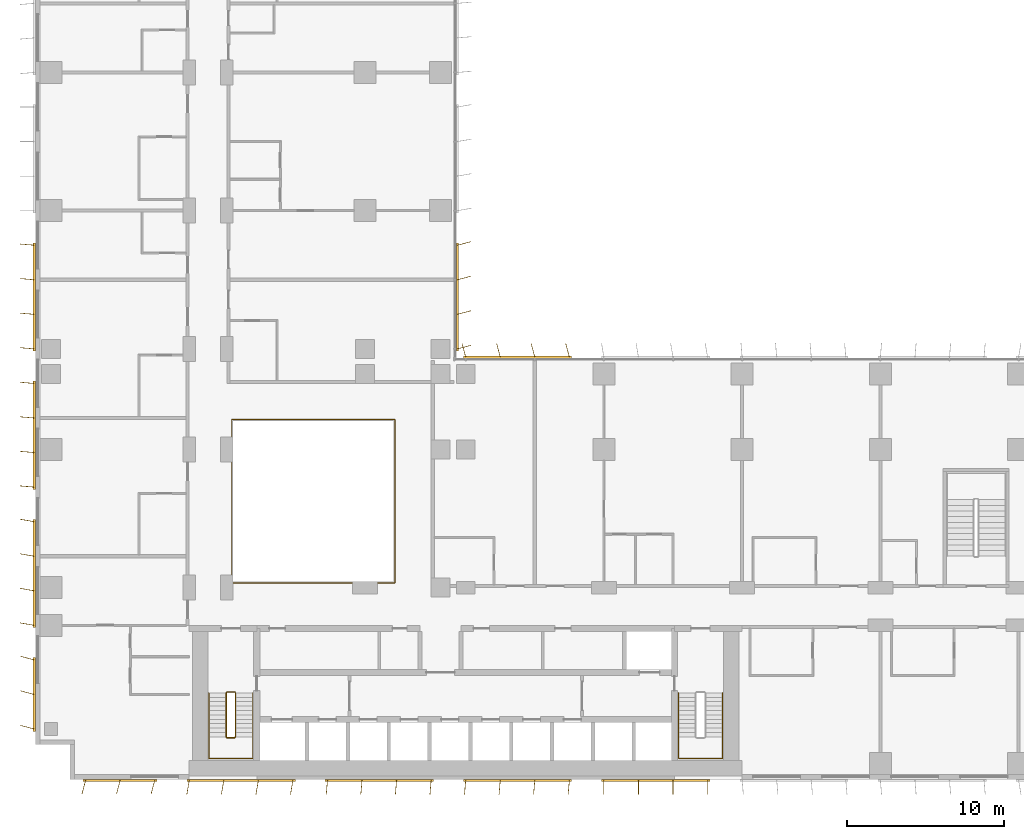
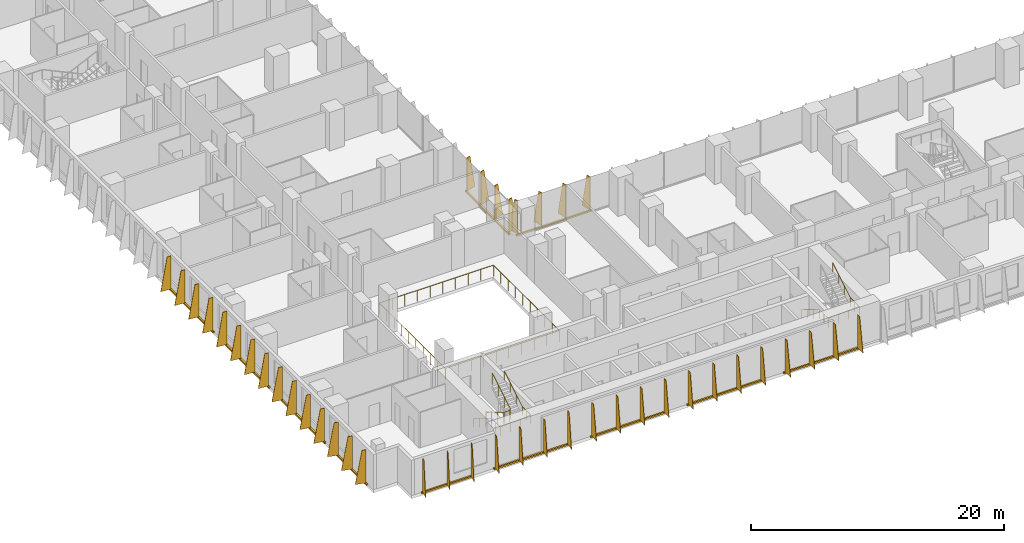
# One storey, part 21 of 24: 11 shading devices, 4 railings.
"""IFC4 building model written with IfcOpenShell, lengths in metres."""

import ifcopenshell
import ifcopenshell.guid

model = None  # the IFC model being written
_history = None  # IfcOwnerHistory: only IFC2X3 demands one
_inside = {}  # id of a spatial element -> (the spatial element, [elements in it])
_under = {}  # id of a project, library or spatial element -> (it, [spatial elements below it])
_declared = {}  # id of a project -> (the project, [libraries it declares])
_typed = {}  # id of a type object -> (the type object, [elements of that type])
_made_of = {}  # id of a material, layer set ... -> (it, [elements and type objects made of it])


def new_model(schema):
    """Start an empty IFC model of exactly this schema.

    Asked for "IFC4X3", IfcOpenShell would pick the latest addendum, in which some entities
    have other attributes; the version numbers below select the first issue.
    IFC2X3 requires an IfcOwnerHistory on every rooted entity: one is made here for all.
    """
    global model, _history
    if schema == "IFC4X3":
        model = ifcopenshell.file(schema_version=(4, 3, 0, 0))
    else:
        model = ifcopenshell.file(schema=schema)
    _inside.clear()
    _under.clear()
    _declared.clear()
    _typed.clear()
    _made_of.clear()
    _history = None
    if model.schema == "IFC2X3":
        org = make("IfcOrganization", Name="unknown")
        user = make(
            "IfcPersonAndOrganization",
            ThePerson=make("IfcPerson", FamilyName="unknown"),
            TheOrganization=org,
        )
        app = make(
            "IfcApplication",
            ApplicationDeveloper=org,
            Version="unknown",
            ApplicationFullName="unknown",
            ApplicationIdentifier="unknown",
        )
        _history = make(
            "IfcOwnerHistory",
            OwningUser=user,
            OwningApplication=app,
            ChangeAction="ADDED",
            CreationDate=0,
        )
    return model


def make(cls, **values):
    """One entity of the class cls with the attributes given. An attribute that is None is left unset."""
    return model.create_entity(
        cls, **{name: value for name, value in values.items() if value is not None}
    )


def rooted(cls, **values):
    """An entity with a GlobalId (a new one), such as an element, a storey or a relation."""
    return make(cls, GlobalId=ifcopenshell.guid.new(), OwnerHistory=_history, **values)


def si_unit(unit_type, name, prefix=None):
    """IfcSIUnit, for example si_unit("LENGTHUNIT", "METRE", prefix="MILLI")."""
    return make("IfcSIUnit", UnitType=unit_type, Prefix=prefix, Name=name)


def assignment(units):
    """IfcUnitAssignment: the units of a project."""
    return None if units is None else make("IfcUnitAssignment", Units=units)


def point(xyz):
    """IfcCartesianPoint."""
    return None if xyz is None else make("IfcCartesianPoint", Coordinates=xyz)


def direction(xyz):
    """IfcDirection."""
    return None if xyz is None else make("IfcDirection", DirectionRatios=xyz)


def frame(location, z_axis=None, x_axis=None):
    """IfcAxis2Placement3D, a coordinate frame: its origin and axes. An axis left out is left unset."""
    return make(
        "IfcAxis2Placement3D",
        Location=point(location),
        Axis=direction(z_axis),
        RefDirection=direction(x_axis),
    )


def frame_2d(location, x_axis=None):
    """IfcAxis2Placement2D, a coordinate frame in the plane: its origin and x axis."""
    return make(
        "IfcAxis2Placement2D", Location=point(location), RefDirection=direction(x_axis)
    )


def origin():
    """The frame at (0, 0, 0) with its axes left unset."""
    return frame((0.0, 0.0, 0.0))


def origin_2d():
    """The frame at (0, 0) in the plane with its x axis left unset."""
    return frame_2d((0.0, 0.0))


def place(relative_to, where):
    """IfcLocalPlacement: puts the frame where relative to a parent placement (None: the world)."""
    return make(
        "IfcLocalPlacement", PlacementRelTo=relative_to, RelativePlacement=where
    )


def context(
    kind, dimensions, precision=None, world=None, true_north=None, identifier=None
):
    """IfcGeometricRepresentationContext, for example the 3D "Model" context."""
    return make(
        "IfcGeometricRepresentationContext",
        ContextIdentifier=identifier,
        ContextType=kind,
        CoordinateSpaceDimension=dimensions,
        Precision=precision,
        WorldCoordinateSystem=world,
        TrueNorth=true_north,
    )


def subcontext(parent, identifier, kind, view, scale=None):
    """IfcGeometricRepresentationSubContext, for example "Body" below "Model"."""
    return make(
        "IfcGeometricRepresentationSubContext",
        ContextIdentifier=identifier,
        ContextType=kind,
        ParentContext=parent,
        TargetScale=scale,
        TargetView=view,
    )


def project(units=None, contexts=None):
    """IfcProject with its units and contexts."""
    return rooted(
        "IfcProject",
        Name="project",
        RepresentationContexts=contexts,
        UnitsInContext=assignment(units),
    )


def spatial(cls, under=None, at=None, **own):
    """A site, building, storey or space (cls), placed at a placement, below another one or the project."""
    s = rooted(cls, ObjectPlacement=at, **own)
    if under is not None:
        _under.setdefault(under.id(), (under, []))[1].append(s)
    return s


def polyline(points):
    """IfcPolyline through the points."""
    return make("IfcPolyline", Points=[point(p) for p in points])


def profile(cls, at=None, kind="AREA", **sizes):
    """A parametric profile (cls). Its sizes go by their IFC names, for example OverallWidth=200.0."""
    return make(cls, ProfileType=kind, Position=at, **sizes)


def rectangle(**sizes):
    """IfcRectangleProfileDef."""
    return profile("IfcRectangleProfileDef", **sizes)


def circle(**sizes):
    """IfcCircleProfileDef."""
    return profile("IfcCircleProfileDef", **sizes)


def outline(outer, holes=None, kind="AREA"):
    """IfcArbitraryClosedProfileDef: a profile drawn as a closed curve; with holes, ...WithVoids."""
    if holes is None:
        return make("IfcArbitraryClosedProfileDef", ProfileType=kind, OuterCurve=outer)
    return make(
        "IfcArbitraryProfileDefWithVoids",
        ProfileType=kind,
        OuterCurve=outer,
        InnerCurves=holes,
    )


def extrude(swept, where, along, depth):
    """IfcExtrudedAreaSolid: the profile swept, set in the frame where, extruded along a direction by depth."""
    return make(
        "IfcExtrudedAreaSolid",
        SweptArea=swept,
        Position=where,
        ExtrudedDirection=direction(along),
        Depth=depth,
    )


def shape(context_of_items, identifier, shape_type, items):
    """IfcShapeRepresentation: the items that make up one representation, for example the "Body"."""
    return make(
        "IfcShapeRepresentation",
        ContextOfItems=context_of_items,
        RepresentationIdentifier=identifier,
        RepresentationType=shape_type,
        Items=items,
    )


def source(mapping_origin, context_of_items, identifier, shape_type, items):
    """IfcRepresentationMap: a shape defined once, which mapped items show again and again."""
    return make(
        "IfcRepresentationMap",
        MappingOrigin=mapping_origin,
        MappedRepresentation=shape(context_of_items, identifier, shape_type, items),
    )


def transform(
    local_origin,
    x_axis=None,
    y_axis=None,
    z_axis=None,
    scale=None,
    scale2=None,
    scale3=None,
    uniform=True,
):
    """IfcCartesianTransformationOperator3D, or its non-uniform kind. x_axis, y_axis, z_axis: its Axis1, 2, 3."""
    if uniform:
        return make(
            "IfcCartesianTransformationOperator3D",
            Axis1=direction(x_axis),
            Axis2=direction(y_axis),
            LocalOrigin=point(local_origin),
            Scale=scale,
            Axis3=direction(z_axis),
        )
    return make(
        "IfcCartesianTransformationOperator3DnonUniform",
        Axis1=direction(x_axis),
        Axis2=direction(y_axis),
        LocalOrigin=point(local_origin),
        Scale=scale,
        Axis3=direction(z_axis),
        Scale2=scale2,
        Scale3=scale3,
    )


def mapped(mapping_source, mapping_target):
    """IfcMappedItem: shows the shape of a source again, moved by a transform."""
    return make(
        "IfcMappedItem", MappingSource=mapping_source, MappingTarget=mapping_target
    )


def material(Name=None, Category=None):
    """IfcMaterial."""
    return make("IfcMaterial", Name=Name, Category=Category)


def layer(
    of_material, thickness, ventilated=None, Name=None, Category=None, Priority=None
):
    """IfcMaterialLayer: one layer of a wall or slab, of a material (None: an air gap)."""
    return make(
        "IfcMaterialLayer",
        Material=of_material,
        LayerThickness=thickness,
        IsVentilated=ventilated,
        Name=Name,
        Category=Category,
        Priority=Priority,
    )


def layer_set(layers, Name=None):
    """IfcMaterialLayerSet."""
    return make("IfcMaterialLayerSet", MaterialLayers=layers, LayerSetName=Name)


def made_of(thing, what):
    """Note that an element or type object is made of a material, layer set ...; save() writes the relation."""
    if what is not None:
        _made_of.setdefault(what.id(), (what, []))[1].append(thing)
    return thing


def type_object(cls, material=None, **own):
    """A type object (cls), such as IfcWallType, which elements share."""
    return made_of(rooted(cls, **own), material)


def element(
    cls,
    number,
    at=None,
    inside=None,
    cuts=None,
    type_object=None,
    material=None,
    context=None,
    identifier="Body",
    shape_type=None,
    held_by="IfcProductDefinitionShape",
    body=None,
    shapes=None,
    **own,
):
    """One element of the class cls, such as IfcWall. Its Tag is "e" and its number.

    at: its placement. inside: the storey or other place that contains it. cuts: it is an
    opening in that element (IfcRelVoidsElement). A single representation is given by context,
    identifier, shape_type and body (its items); several are given by shapes. held_by: the class
    of the entity that holds the representations. save() writes the other relations.
    """
    e = rooted(cls, Tag="e%d" % number, ObjectPlacement=at, **own)
    if body is not None:
        shapes = [shape(context, identifier, shape_type, body)]
    if shapes is not None:
        e.Representation = make(held_by, Representations=shapes)
    if inside is not None:
        _inside.setdefault(inside.id(), (inside, []))[1].append(e)
    if cuts is not None:
        rooted(
            "IfcRelVoidsElement", RelatingBuildingElement=cuts, RelatedOpeningElement=e
        )
    if type_object is not None:
        _typed.setdefault(type_object.id(), (type_object, []))[1].append(e)
    return made_of(e, material)


def aggregate(whole, parts):
    """IfcRelAggregates: a whole, such as a stair, and the parts it consists of."""
    return rooted("IfcRelAggregates", RelatingObject=whole, RelatedObjects=parts)


def save(model, path):
    """Write the relations noted so far, then the file.

    IfcRelAggregates (storeys below a building ...), IfcRelContainedInSpatialStructure (elements
    in a storey), IfcRelDefinesByType, IfcRelAssociatesMaterial and IfcRelDeclares: one each for
    every whole, place, type object, material and project.
    """
    for whole, parts in _under.values():
        aggregate(whole, parts)
    for where, things in _inside.values():
        rooted(
            "IfcRelContainedInSpatialStructure",
            RelatedElements=things,
            RelatingStructure=where,
        )
    for kind, things in _typed.values():
        rooted("IfcRelDefinesByType", RelatedObjects=things, RelatingType=kind)
    for what, things in _made_of.values():
        rooted("IfcRelAssociatesMaterial", RelatedObjects=things, RelatingMaterial=what)
    for by, libraries in _declared.values():
        rooted("IfcRelDeclares", RelatingContext=by, RelatedDefinitions=libraries)
    model.write(path)


model = new_model("IFC4")

# Units and contexts
model_context = context("Model", 3, precision=1e-05, world=origin(), true_north=direction((0.0, 1.0)))
body_context = subcontext(model_context, "Body", "Model", "MODEL_VIEW")
ifc_project = project(units=[si_unit("LENGTHUNIT", "METRE"), si_unit("AREAUNIT", "SQUARE_METRE"), si_unit("VOLUMEUNIT", "CUBIC_METRE"), si_unit("PLANEANGLEUNIT", "RADIAN"), si_unit("MASSUNIT", "GRAM", prefix="KILO")], contexts=[model_context])

# Site, building, storey
site_placement = place(None, origin())
site = spatial("IfcSite", under=ifc_project, at=site_placement, CompositionType="ELEMENT")
building_placement = place(site_placement, origin())
building = spatial("IfcBuilding", under=site, at=building_placement, Name="Kemantara Hotel Tower", CompositionType="ELEMENT")
storey_placement = place(building_placement, frame((0.0, 0.0, 41.39990234375)))
storey = spatial("IfcBuildingStorey", under=building, at=storey_placement, Name="L08", CompositionType="ELEMENT", Elevation=41.39990234375)

# Railings
ifc_material_1 = material(Name="Stainless steel and laminated glass balustrade", Category="steel")
railing_type_1 = type_object("IfcRailingType", Name="ATRIUM GUARD 1100", PredefinedType="GUARDRAIL", material=ifc_material_1)
railing_1_placement = place(storey_placement, frame((12.56005859375, 12.5, 0.0)))
element("IfcRailing", 1, at=railing_1_placement, inside=storey, type_object=railing_type_1, Name="ATRIUM GUARD L08", PredefinedType="GUARDRAIL", context=body_context, shape_type="SweptSolid", body=[
    extrude(circle(Radius=0.02490234375, at=origin_2d()), frame((0.0, 0.0, 1.0751953125), z_axis=(1.0, 0.0, 0.0), x_axis=(0.0, 1.0, 0.0)), (0.0, 0.0, 1.0), 10.33984375),
    extrude(circle(Radius=0.02490234375, at=origin_2d()), frame((10.33984375, 0.0, 1.0751953125), z_axis=(0.0, 1.0, 0.0), x_axis=(-1.0, 0.0, 0.0)), (0.0, 0.0, 1.0), 10.39990234375),
    extrude(circle(Radius=0.02490234375, at=origin_2d()), frame((10.33984375, 10.39990234375, 1.0751953125), z_axis=(-1.0, 0.0, 0.0), x_axis=(0.0, -1.0, 0.0)), (0.0, 0.0, 1.0), 10.39990234375),
    extrude(circle(Radius=0.02490234375, at=origin_2d()), frame((-0.06005859375, 10.39990234375, 1.0751953125), z_axis=(0.0, -1.0, 0.0), x_axis=(1.0, 0.0, 0.0)), (0.0, 0.0, 1.0), 10.39990234375),
    extrude(circle(Radius=0.02001953125, at=origin_2d()), origin(), (0.0, 0.0, 1.0), 1.050048828125),
    extrude(circle(Radius=0.02001953125, at=origin_2d()), frame((1.14892578125, 0.0, 0.0)), (0.0, 0.0, 1.0), 1.050048828125),
    extrude(circle(Radius=0.02001953125, at=origin_2d()), frame((2.2978515625, 0.0, 0.0)), (0.0, 0.0, 1.0), 1.050048828125),
    extrude(circle(Radius=0.02001953125, at=origin_2d()), frame((3.446533203125, 0.0, 0.0)), (0.0, 0.0, 1.0), 1.050048828125),
    extrude(circle(Radius=0.02001953125, at=origin_2d()), frame((4.595458984375, 0.0, 0.0)), (0.0, 0.0, 1.0), 1.050048828125),
    extrude(circle(Radius=0.02001953125, at=origin_2d()), frame((5.744384765625, 0.0, 0.0)), (0.0, 0.0, 1.0), 1.050048828125),
    extrude(circle(Radius=0.02001953125, at=origin_2d()), frame((6.893310546875, 0.0, 0.0)), (0.0, 0.0, 1.0), 1.050048828125),
    extrude(circle(Radius=0.02001953125, at=origin_2d()), frame((8.0419921875, 0.0, 0.0)), (0.0, 0.0, 1.0), 1.050048828125),
    extrude(circle(Radius=0.02001953125, at=origin_2d()), frame((9.19091796875, 0.0, 0.0)), (0.0, 0.0, 1.0), 1.050048828125),
    extrude(circle(Radius=0.02001953125, at=origin_2d()), frame((10.33984375, 0.0, 0.0)), (0.0, 0.0, 1.0), 1.050048828125),
    extrude(circle(Radius=0.02001953125, at=origin_2d()), frame((10.33984375, 1.155517578125, 0.0)), (0.0, 0.0, 1.0), 1.050048828125),
    extrude(circle(Radius=0.02001953125, at=origin_2d()), frame((10.33984375, 2.31103515625, 0.0)), (0.0, 0.0, 1.0), 1.050048828125),
    extrude(circle(Radius=0.02001953125, at=origin_2d()), frame((10.33984375, 3.466552734375, 0.0)), (0.0, 0.0, 1.0), 1.050048828125),
    extrude(circle(Radius=0.02001953125, at=origin_2d()), frame((10.33984375, 4.6220703125, 0.0)), (0.0, 0.0, 1.0), 1.050048828125),
    extrude(circle(Radius=0.02001953125, at=origin_2d()), frame((10.33984375, 5.77783203125, 0.0)), (0.0, 0.0, 1.0), 1.050048828125),
    extrude(circle(Radius=0.02001953125, at=origin_2d()), frame((10.33984375, 6.933349609375, 0.0)), (0.0, 0.0, 1.0), 1.050048828125),
    extrude(circle(Radius=0.02001953125, at=origin_2d()), frame((10.33984375, 8.0888671875, 0.0)), (0.0, 0.0, 1.0), 1.050048828125),
    extrude(circle(Radius=0.02001953125, at=origin_2d()), frame((10.33984375, 9.244384765625, 0.0)), (0.0, 0.0, 1.0), 1.050048828125),
    extrude(circle(Radius=0.02001953125, at=origin_2d()), frame((10.33984375, 10.39990234375, 0.0)), (0.0, 0.0, 1.0), 1.050048828125),
    extrude(circle(Radius=0.02001953125, at=origin_2d()), frame((9.184326171875, 10.39990234375, 0.0)), (0.0, 0.0, 1.0), 1.050048828125),
    extrude(circle(Radius=0.02001953125, at=origin_2d()), frame((8.02880859375, 10.39990234375, 0.0)), (0.0, 0.0, 1.0), 1.050048828125),
    extrude(circle(Radius=0.02001953125, at=origin_2d()), frame((6.873291015625, 10.39990234375, 0.0)), (0.0, 0.0, 1.0), 1.050048828125),
    extrude(circle(Radius=0.02001953125, at=origin_2d()), frame((5.7177734375, 10.39990234375, 0.0)), (0.0, 0.0, 1.0), 1.050048828125),
    extrude(circle(Radius=0.02001953125, at=origin_2d()), frame((4.56201171875, 10.39990234375, 0.0)), (0.0, 0.0, 1.0), 1.050048828125),
    extrude(circle(Radius=0.02001953125, at=origin_2d()), frame((3.406494140625, 10.39990234375, 0.0)), (0.0, 0.0, 1.0), 1.050048828125),
    extrude(circle(Radius=0.02001953125, at=origin_2d()), frame((2.2509765625, 10.39990234375, 0.0)), (0.0, 0.0, 1.0), 1.050048828125),
    extrude(circle(Radius=0.02001953125, at=origin_2d()), frame((1.095458984375, 10.39990234375, 0.0)), (0.0, 0.0, 1.0), 1.050048828125),
    extrude(circle(Radius=0.02001953125, at=origin_2d()), frame((-0.06005859375, 10.39990234375, 0.0)), (0.0, 0.0, 1.0), 1.050048828125),
    extrude(circle(Radius=0.02001953125, at=origin_2d()), frame((-0.06005859375, 9.244384765625, 0.0)), (0.0, 0.0, 1.0), 1.050048828125),
    extrude(circle(Radius=0.02001953125, at=origin_2d()), frame((-0.06005859375, 8.0888671875, 0.0)), (0.0, 0.0, 1.0), 1.050048828125),
    extrude(circle(Radius=0.02001953125, at=origin_2d()), frame((-0.06005859375, 6.933349609375, 0.0)), (0.0, 0.0, 1.0), 1.050048828125),
    extrude(circle(Radius=0.02001953125, at=origin_2d()), frame((-0.06005859375, 5.77783203125, 0.0)), (0.0, 0.0, 1.0), 1.050048828125),
    extrude(circle(Radius=0.02001953125, at=origin_2d()), frame((-0.06005859375, 4.6220703125, 0.0)), (0.0, 0.0, 1.0), 1.050048828125),
    extrude(circle(Radius=0.02001953125, at=origin_2d()), frame((-0.06005859375, 3.466552734375, 0.0)), (0.0, 0.0, 1.0), 1.050048828125),
    extrude(circle(Radius=0.02001953125, at=origin_2d()), frame((-0.06005859375, 2.31103515625, 0.0)), (0.0, 0.0, 1.0), 1.050048828125),
    extrude(circle(Radius=0.02001953125, at=origin_2d()), frame((-0.06005859375, 1.155517578125, 0.0)), (0.0, 0.0, 1.0), 1.050048828125),
    extrude(circle(Radius=0.02001953125, at=origin_2d()), frame((-0.06005859375, 0.0, 0.0)), (0.0, 0.0, 1.0), 1.050048828125),
])
ifc_material_2 = material(Name="Stainless steel balustrade", Category="steel")
railing_type_2 = type_object("IfcRailingType", Name="Stair guard 1100 mm", PredefinedType="GUARDRAIL", material=ifc_material_2)
railing_2_placement = place(storey_placement, frame((12.75, 5.5, 3.7001953125)))
element("IfcRailing", 2, at=railing_2_placement, inside=storey, type_object=railing_type_2, Name="L08 ST1 stair guard 1", PredefinedType="GUARDRAIL", context=body_context, shape_type="SweptSolid", body=[
    extrude(circle(Radius=0.02392578125, at=origin_2d()), frame((0.0, 0.0, 1.076171875), z_axis=(0.0, -0.857242210791, -0.514913383045), x_axis=(1.0, 0.0, 0.0)), (0.0, 0.0, 1.0), 3.266357421875),
    extrude(circle(Radius=0.02392578125, at=origin_2d()), frame((0.0, -2.800048828125, -0.60595703125), z_axis=(-0.274243871929, -0.274243871929, -0.92172696468), x_axis=(0.707106781187, -0.707106781187, 0.0)), (0.0, 0.0, 1.0), 0.1826171875),
    extrude(circle(Radius=0.02392578125, at=origin_2d()), frame((-0.050048828125, -2.85009765625, -0.77392578125), z_axis=(-1.0, 0.0, 0.0), x_axis=(0.0, -1.0, 0.0)), (0.0, 0.0, 1.0), 0.5),
    extrude(circle(Radius=0.02392578125, at=origin_2d()), frame((-0.550048828125, -2.85009765625, -0.77392578125), z_axis=(-0.707106781187, 0.707106781187, 0.0), x_axis=(-0.707106781187, -0.707106781187, 0.0)), (0.0, 0.0, 1.0), 0.07080078125),
    extrude(circle(Radius=0.02392578125, at=origin_2d()), frame((-0.60009765625, -2.800048828125, -0.77392578125), z_axis=(0.0, 0.857242210791, -0.514913383045), x_axis=(-1.0, 0.0, 0.0)), (0.0, 0.0, 1.0), 3.266357421875),
    extrude(circle(Radius=0.02392578125, at=origin_2d()), frame((-0.60009765625, 0.0, -2.4560546875), z_axis=(0.274243871929, 0.274243871929, -0.92172696468), x_axis=(-0.707106781187, 0.707106781187, 0.0)), (0.0, 0.0, 1.0), 0.1826171875),
    extrude(circle(Radius=0.02392578125, at=origin_2d()), frame((-0.550048828125, 0.050048828125, -2.6240234375), z_axis=(1.0, 0.0, 0.0), x_axis=(0.0, 1.0, 0.0)), (0.0, 0.0, 1.0), 0.5),
    extrude(circle(Radius=0.02099609375, at=origin_2d()), origin(), (0.0, 0.0, 1.0), 1.052001953125),
    extrude(circle(Radius=0.02099609375, at=origin_2d()), frame((0.0, -0.933349609375, -0.560546875)), (0.0, 0.0, 1.0), 1.052001953125),
    extrude(circle(Radius=0.02099609375, at=origin_2d()), frame((0.0, -1.86669921875, -1.121337890625)), (0.0, 0.0, 1.0), 1.052001953125),
    extrude(circle(Radius=0.02099609375, at=origin_2d()), frame((0.0, -2.800048828125, -1.681884765625)), (0.0, 0.0, 1.0), 1.052001953125),
    extrude(circle(Radius=0.02099609375, at=origin_2d()), frame((-0.050048828125, -2.85009765625, -1.85009765625)), (0.0, 0.0, 1.0), 1.052001953125),
    extrude(circle(Radius=0.02099609375, at=origin_2d()), frame((-0.550048828125, -2.85009765625, -1.85009765625)), (0.0, 0.0, 1.0), 1.052001953125),
    extrude(circle(Radius=0.02099609375, at=origin_2d()), frame((-0.60009765625, -2.800048828125, -1.85009765625)), (0.0, 0.0, 1.0), 1.052001953125),
    extrude(circle(Radius=0.02099609375, at=origin_2d()), frame((-0.60009765625, -1.86669921875, -2.41064453125)), (0.0, 0.0, 1.0), 1.052001953125),
    extrude(circle(Radius=0.02099609375, at=origin_2d()), frame((-0.60009765625, -0.933349609375, -2.971435546875)), (0.0, 0.0, 1.0), 1.052001953125),
    extrude(circle(Radius=0.02099609375, at=origin_2d()), frame((-0.60009765625, 0.0, -3.531982421875)), (0.0, 0.0, 1.0), 1.052001953125),
    extrude(circle(Radius=0.02099609375, at=origin_2d()), frame((-0.550048828125, 0.050048828125, -3.7001953125)), (0.0, 0.0, 1.0), 1.052001953125),
    extrude(circle(Radius=0.02099609375, at=origin_2d()), frame((-0.050048828125, 0.050048828125, -3.7001953125)), (0.0, 0.0, 1.0), 1.052001953125),
])
railing_type_3 = type_object("IfcRailingType", Name="Stair handrail 900 mm", PredefinedType="HANDRAIL", material=ifc_material_2)
railing_3_placement = place(storey_placement, frame((11.050048828125, 5.5, 0.168212890625)))
element("IfcRailing", 3, at=railing_3_placement, inside=storey, type_object=railing_type_3, Name="L08 ST1 stair handrail 1", PredefinedType="HANDRAIL", context=body_context, shape_type="SweptSolid", body=[
    extrude(circle(Radius=0.02392578125, at=origin_2d()), frame((0.0, 0.0, 0.8759765625), z_axis=(0.0, -0.857242210791, 0.514913383045), x_axis=(1.0, 0.0, 0.0)), (0.0, 0.0, 1.0), 3.266357421875),
    extrude(circle(Radius=0.02392578125, at=origin_2d()), frame((0.0, -2.800048828125, 2.5576171875), z_axis=(0.0, -1.0, 0.0), x_axis=(1.0, 0.0, 0.0)), (0.0, 0.0, 1.0), 1.3798828125),
    extrude(circle(Radius=0.02392578125, at=origin_2d()), frame((0.0, -4.179931640625, 2.5576171875), z_axis=(0.998200367801, 0.0, 0.059966871865), x_axis=(0.0, 1.0, 0.0)), (0.0, 0.0, 1.0), 2.80517578125),
    extrude(circle(Radius=0.02392578125, at=origin_2d()), frame((2.800048828125, -4.179931640625, 2.72607421875), z_axis=(0.0, 1.0, 0.0), x_axis=(-1.0, 0.0, 0.0)), (0.0, 0.0, 1.0), 1.3798828125),
    extrude(circle(Radius=0.02392578125, at=origin_2d()), frame((2.800048828125, -2.800048828125, 2.72607421875), z_axis=(0.0, 0.857242210791, 0.514913383045), x_axis=(-1.0, 0.0, 0.0)), (0.0, 0.0, 1.0), 3.266357421875),
    extrude(circle(Radius=0.02099609375, at=origin_2d()), origin(), (0.0, 0.0, 1.0), 0.851806640625),
    extrude(circle(Radius=0.02099609375, at=origin_2d()), frame((0.0, -0.933349609375, 0.560546875)), (0.0, 0.0, 1.0), 0.851806640625),
    extrude(circle(Radius=0.02099609375, at=origin_2d()), frame((0.0, -1.86669921875, 1.121337890625)), (0.0, 0.0, 1.0), 0.851806640625),
    extrude(circle(Radius=0.02099609375, at=origin_2d()), frame((0.0, -2.800048828125, 1.681884765625)), (0.0, 0.0, 1.0), 0.851806640625),
    extrude(circle(Radius=0.02099609375, at=origin_2d()), frame((0.0, -3.489990234375, 1.681884765625)), (0.0, 0.0, 1.0), 0.851806640625),
    extrude(circle(Radius=0.02099609375, at=origin_2d()), frame((0.0, -4.179931640625, 1.681884765625)), (0.0, 0.0, 1.0), 0.851806640625),
    extrude(circle(Radius=0.02099609375, at=origin_2d()), frame((0.933349609375, -4.179931640625, 1.738037109375)), (0.0, 0.0, 1.0), 0.851806640625),
    extrude(circle(Radius=0.02099609375, at=origin_2d()), frame((1.86669921875, -4.179931640625, 1.7939453125)), (0.0, 0.0, 1.0), 0.851806640625),
    extrude(circle(Radius=0.02099609375, at=origin_2d()), frame((2.800048828125, -4.179931640625, 1.85009765625)), (0.0, 0.0, 1.0), 0.851806640625),
    extrude(circle(Radius=0.02099609375, at=origin_2d()), frame((2.800048828125, -3.489990234375, 1.85009765625)), (0.0, 0.0, 1.0), 0.851806640625),
    extrude(circle(Radius=0.02099609375, at=origin_2d()), frame((2.800048828125, -2.800048828125, 1.85009765625)), (0.0, 0.0, 1.0), 0.851806640625),
    extrude(circle(Radius=0.02099609375, at=origin_2d()), frame((2.800048828125, -1.86669921875, 2.41064453125)), (0.0, 0.0, 1.0), 0.851806640625),
    extrude(circle(Radius=0.02099609375, at=origin_2d()), frame((2.800048828125, -0.933349609375, 2.971435546875)), (0.0, 0.0, 1.0), 0.851806640625),
    extrude(circle(Radius=0.02099609375, at=origin_2d()), frame((2.800048828125, 0.0, 3.531982421875)), (0.0, 0.0, 1.0), 0.851806640625),
])
railing_4_placement = place(storey_placement, frame((40.949951171875, 5.5, 0.168212890625)))
element("IfcRailing", 4, at=railing_4_placement, inside=storey, type_object=railing_type_3, Name="L08 ST2 stair handrail 1", PredefinedType="HANDRAIL", context=body_context, shape_type="SweptSolid", body=[
    extrude(circle(Radius=0.02392578125, at=origin_2d()), frame((0.0, 0.0, 0.8759765625), z_axis=(0.0, -0.857242210791, 0.514913383045), x_axis=(1.0, 0.0, 0.0)), (0.0, 0.0, 1.0), 3.266357421875),
    extrude(circle(Radius=0.02392578125, at=origin_2d()), frame((0.0, -2.800048828125, 2.5576171875), z_axis=(0.0, -1.0, 0.0), x_axis=(1.0, 0.0, 0.0)), (0.0, 0.0, 1.0), 1.3798828125),
    extrude(circle(Radius=0.02392578125, at=origin_2d()), frame((0.0, -4.179931640625, 2.5576171875), z_axis=(0.998200367801, 0.0, 0.059966871865), x_axis=(0.0, 1.0, 0.0)), (0.0, 0.0, 1.0), 2.80517578125),
    extrude(circle(Radius=0.02392578125, at=origin_2d()), frame((2.800048828125, -4.179931640625, 2.72607421875), z_axis=(0.0, 1.0, 0.0), x_axis=(-1.0, 0.0, 0.0)), (0.0, 0.0, 1.0), 1.3798828125),
    extrude(circle(Radius=0.02392578125, at=origin_2d()), frame((2.800048828125, -2.800048828125, 2.72607421875), z_axis=(0.0, 0.857242210791, 0.514913383045), x_axis=(-1.0, 0.0, 0.0)), (0.0, 0.0, 1.0), 3.266357421875),
    extrude(circle(Radius=0.02099609375, at=origin_2d()), origin(), (0.0, 0.0, 1.0), 0.851806640625),
    extrude(circle(Radius=0.02099609375, at=origin_2d()), frame((0.0, -0.933349609375, 0.560546875)), (0.0, 0.0, 1.0), 0.851806640625),
    extrude(circle(Radius=0.02099609375, at=origin_2d()), frame((0.0, -1.86669921875, 1.121337890625)), (0.0, 0.0, 1.0), 0.851806640625),
    extrude(circle(Radius=0.02099609375, at=origin_2d()), frame((0.0, -2.800048828125, 1.681884765625)), (0.0, 0.0, 1.0), 0.851806640625),
    extrude(circle(Radius=0.02099609375, at=origin_2d()), frame((0.0, -3.489990234375, 1.681884765625)), (0.0, 0.0, 1.0), 0.851806640625),
    extrude(circle(Radius=0.02099609375, at=origin_2d()), frame((0.0, -4.179931640625, 1.681884765625)), (0.0, 0.0, 1.0), 0.851806640625),
    extrude(circle(Radius=0.02099609375, at=origin_2d()), frame((0.933349609375, -4.179931640625, 1.738037109375)), (0.0, 0.0, 1.0), 0.851806640625),
    extrude(circle(Radius=0.02099609375, at=origin_2d()), frame((1.86669921875, -4.179931640625, 1.7939453125)), (0.0, 0.0, 1.0), 0.851806640625),
    extrude(circle(Radius=0.02099609375, at=origin_2d()), frame((2.800048828125, -4.179931640625, 1.85009765625)), (0.0, 0.0, 1.0), 0.851806640625),
    extrude(circle(Radius=0.02099609375, at=origin_2d()), frame((2.800048828125, -3.489990234375, 1.85009765625)), (0.0, 0.0, 1.0), 0.851806640625),
    extrude(circle(Radius=0.02099609375, at=origin_2d()), frame((2.800048828125, -2.800048828125, 1.85009765625)), (0.0, 0.0, 1.0), 0.851806640625),
    extrude(circle(Radius=0.02099609375, at=origin_2d()), frame((2.800048828125, -1.86669921875, 2.41064453125)), (0.0, 0.0, 1.0), 0.851806640625),
    extrude(circle(Radius=0.02099609375, at=origin_2d()), frame((2.800048828125, -0.933349609375, 2.971435546875)), (0.0, 0.0, 1.0), 0.851806640625),
    extrude(circle(Radius=0.02099609375, at=origin_2d()), frame((2.800048828125, 0.0, 3.531982421875)), (0.0, 0.0, 1.0), 0.851806640625),
])

# Shading devices
ifc_material_3 = material(Name="Perforated aluminium plate 4 mm bronze anodised", Category="aluminium")
ifc_layer_1 = layer(ifc_material_3, 0.0400390625)
ifc_layer_set_1 = layer_set([ifc_layer_1], Name="Perforated aluminium plate 4 mm bronze anodised")
shading_device_type_1 = type_object("IfcShadingDeviceType", Name="SCREEN FIN CASSETTE, 3 BLADES AT -15.0 DEG, 3200 HIGH", PredefinedType="USERDEFINED", material=ifc_layer_set_1)
shared_shape_1 = source(origin(), body_context, "Body", "SweptSolid", [
    extrude(rectangle(XDim=4.699951171875, YDim=0.14990234375, at=origin_2d()), frame((2.199951171875, -0.074951171875, -0.14990234375), z_axis=(0.0, 0.0, 1.0), x_axis=(1.0, 0.0, 0.0)), (0.0, 0.0, 1.0), 0.14990234375),
    extrude(outline(polyline([(0.0, 0.0), (0.89990234375, 0.0), (0.35009765625, 3.199951171875), (0.0, 3.199951171875), (0.0, 0.0)])), frame((0.019287109375, -0.080078125, 0.0), z_axis=(-0.966437683387, 0.256901156343, 0.0), x_axis=(-0.256901156343, -0.966437683387, 0.0)), (0.0, 0.0, 1.0), 0.039794921875),
    extrude(outline(polyline([(0.0, 0.0), (0.89990234375, 0.0), (0.35009765625, 3.199951171875), (0.0, 3.199951171875), (0.0, 0.0)])), frame((2.21923828125, -0.080078125, 0.0), z_axis=(-0.966437683387, 0.256901156343, 0.0), x_axis=(-0.256901156343, -0.966437683387, 0.0)), (0.0, 0.0, 1.0), 0.039794921875),
    extrude(outline(polyline([(0.0, 0.0), (0.89990234375, 0.0), (0.35009765625, 3.199951171875), (0.0, 3.199951171875), (0.0, 0.0)])), frame((4.41943359375, -0.080078125, 0.0), z_axis=(-0.966837822169, 0.255391122837, 0.0), x_axis=(-0.255391122837, -0.966837822169, 0.0)), (0.0, 0.0, 1.0), 0.0400390625),
])
for number, where, z_axis, x_axis, name in (
    (5, (3.199951171875, 0.0, 0.10009765625), (0.0, 0.0, 1.0), (1.0, 0.0, 0.0), "SCREEN FIN CASSETTE L08 T1-R01-1"),
    (6, (0.0, 7.60009765625, 0.10009765625), (0.0, 0.0, 1.0), (0.0, -1.0, 0.0), "SCREEN FIN CASSETTE L08 T1-R14-9"),
):
    element("IfcShadingDevice", number, at=place(storey_placement, frame(where, z_axis=z_axis, x_axis=x_axis)), inside=storey, type_object=shading_device_type_1, Name=name, ObjectType="SCREEN FIN", PredefinedType="USERDEFINED", context=body_context, shape_type="MappedRepresentation", body=[
        mapped(shared_shape_1, transform((0.0, 0.0, 0.0))),
    ])
ifc_layer_2 = layer(ifc_material_3, 0.0400390625)
ifc_layer_set_2 = layer_set([ifc_layer_2], Name="Perforated aluminium plate 4 mm bronze anodised")
shading_device_type_2 = type_object("IfcShadingDeviceType", Name="SCREEN FIN CASSETTE, 4 BLADES AT -10.0 DEG, 3200 HIGH", PredefinedType="USERDEFINED", material=ifc_layer_set_2)
shared_shape_2 = source(origin(), body_context, "Body", "SweptSolid", [
    extrude(rectangle(XDim=6.89990234375, YDim=0.14990234375, at=origin_2d()), frame((3.300048828125, -0.074951171875, -0.14990234375), z_axis=(0.0, 0.0, 1.0), x_axis=(1.0, 0.0, 0.0)), (0.0, 0.0, 1.0), 0.14990234375),
    extrude(outline(polyline([(0.0, 0.0), (0.89990234375, 0.0), (0.35009765625, 3.199951171875), (0.0, 3.199951171875), (0.0, 0.0)])), frame((0.019775390625, -0.078369140625, 0.0), z_axis=(-0.985389793052, 0.170314285219, 0.0), x_axis=(-0.170314285219, -0.985389793052, 0.0)), (0.0, 0.0, 1.0), 0.0400390625),
    extrude(outline(polyline([(0.0, 0.0), (0.89990234375, 0.0), (0.35009765625, 3.199951171875), (0.0, 3.199951171875), (0.0, 0.0)])), frame((2.2197265625, -0.078369140625, 0.0), z_axis=(-0.98521175482, 0.171341174751, 0.0), x_axis=(-0.171341174751, -0.98521175482, 0.0)), (0.0, 0.0, 1.0), 0.039794921875),
    extrude(outline(polyline([(0.0, 0.0), (0.89990234375, 0.0), (0.35009765625, 3.199951171875), (0.0, 3.199951171875), (0.0, 0.0)])), frame((4.419677734375, -0.078369140625, 0.0), z_axis=(-0.98521175482, 0.171341174751, 0.0), x_axis=(-0.171341174751, -0.98521175482, 0.0)), (0.0, 0.0, 1.0), 0.039794921875),
    extrude(outline(polyline([(0.0, 0.0), (0.89990234375, 0.0), (0.35009765625, 3.199951171875), (0.0, 3.199951171875), (0.0, 0.0)])), frame((6.61962890625, -0.078369140625, 0.0), z_axis=(-0.98521175482, 0.171341174751, 0.0), x_axis=(-0.171341174751, -0.98521175482, 0.0)), (0.0, 0.0, 1.0), 0.039794921875),
])
for number, where, z_axis, x_axis, name in (
    (7, (9.800048828125, 0.0, 0.10009765625), (0.0, 0.0, 1.0), (1.0, 0.0, 0.0), "SCREEN FIN CASSETTE L08 T1-R01-2"),
    (8, (0.0, 16.39990234375, 0.10009765625), (0.0, 0.0, 1.0), (0.0, -1.0, 0.0), "SCREEN FIN CASSETTE L08 T1-R14-8"),
):
    element("IfcShadingDevice", number, at=place(storey_placement, frame(where, z_axis=z_axis, x_axis=x_axis)), inside=storey, type_object=shading_device_type_2, Name=name, ObjectType="SCREEN FIN", PredefinedType="USERDEFINED", context=body_context, shape_type="MappedRepresentation", body=[
        mapped(shared_shape_2, transform((0.0, 0.0, 0.0))),
    ])
ifc_layer_3 = layer(ifc_material_3, 0.0400390625)
ifc_layer_set_3 = layer_set([ifc_layer_3], Name="Perforated aluminium plate 4 mm bronze anodised")
shading_device_type_3 = type_object("IfcShadingDeviceType", Name="SCREEN FIN CASSETTE, 4 BLADES AT -5.0 DEG, 3200 HIGH", PredefinedType="USERDEFINED", material=ifc_layer_set_3)
shared_shape_3 = source(origin(), body_context, "Body", "SweptSolid", [
    extrude(rectangle(XDim=6.89990234375, YDim=0.14990234375, at=origin_2d()), frame((3.300048828125, -0.074951171875, -0.14990234375), z_axis=(0.0, 0.0, 1.0), x_axis=(1.0, 0.0, 0.0)), (0.0, 0.0, 1.0), 0.14990234375),
    extrude(outline(polyline([(0.0, 0.0), (0.89990234375, 0.0), (0.35009765625, 3.199951171875), (0.0, 3.199951171875), (0.0, 0.0)])), frame((0.02001953125, -0.07666015625, 0.0), z_axis=(-0.996376129781, 0.085056498884, 0.0), x_axis=(-0.085056498884, -0.996376129781, 0.0)), (0.0, 0.0, 1.0), 0.040283203125),
    extrude(outline(polyline([(0.0, 0.0), (0.89990234375, 0.0), (0.35009765625, 3.199951171875), (0.0, 3.199951171875), (0.0, 0.0)])), frame((2.219970703125, -0.07666015625, 0.0), z_axis=(-0.996331773833, 0.085574508182, 0.0), x_axis=(-0.085574508182, -0.996331773833, 0.0)), (0.0, 0.0, 1.0), 0.0400390625),
    extrude(outline(polyline([(0.0, 0.0), (0.89990234375, 0.0), (0.35009765625, 3.199951171875), (0.0, 3.199951171875), (0.0, 0.0)])), frame((4.419921875, -0.07666015625, 0.0), z_axis=(-0.996331773833, 0.085574508182, 0.0), x_axis=(-0.085574508182, -0.996331773833, 0.0)), (0.0, 0.0, 1.0), 0.0400390625),
    extrude(outline(polyline([(0.0, 0.0), (0.89990234375, 0.0), (0.35009765625, 3.199951171875), (0.0, 3.199951171875), (0.0, 0.0)])), frame((6.619873046875, -0.07666015625, 0.0), z_axis=(-0.996331773833, 0.085574508182, 0.0), x_axis=(-0.085574508182, -0.996331773833, 0.0)), (0.0, 0.0, 1.0), 0.0400390625),
])
for number, where, z_axis, x_axis, name in (
    (9, (18.60009765625, 0.0, 0.10009765625), (0.0, 0.0, 1.0), (1.0, 0.0, 0.0), "SCREEN FIN CASSETTE L08 T1-R01-3"),
    (10, (27.39990234375, 0.0, 0.10009765625), (0.0, 0.0, 1.0), (1.0, 0.0, 0.0), "SCREEN FIN CASSETTE L08 T1-R01-4"),
    (11, (0.0, 34.0, 0.10009765625), (0.0, 0.0, 1.0), (0.0, -1.0, 0.0), "SCREEN FIN CASSETTE L08 T1-R14-6"),
    (12, (0.0, 25.199951171875, 0.10009765625), (0.0, 0.0, 1.0), (0.0, -1.0, 0.0), "SCREEN FIN CASSETTE L08 T1-R14-7"),
):
    element("IfcShadingDevice", number, at=place(storey_placement, frame(where, z_axis=z_axis, x_axis=x_axis)), inside=storey, type_object=shading_device_type_3, Name=name, ObjectType="SCREEN FIN", PredefinedType="USERDEFINED", context=body_context, shape_type="MappedRepresentation", body=[
        mapped(shared_shape_3, transform((0.0, 0.0, 0.0))),
    ])
ifc_layer_4 = layer(ifc_material_3, 0.0400390625)
ifc_layer_set_4 = layer_set([ifc_layer_4], Name="Perforated aluminium plate 4 mm bronze anodised")
shading_device_type_4 = type_object("IfcShadingDeviceType", Name="SCREEN FIN CASSETTE, 4 BLADES AT +0.0 DEG, 3200 HIGH", PredefinedType="USERDEFINED", material=ifc_layer_set_4)
shared_shape_4 = source(origin(), body_context, "Body", "SweptSolid", [
    extrude(rectangle(XDim=6.89990234375, YDim=0.14990234375, at=origin_2d()), frame((3.300048828125, -0.074951171875, -0.14990234375), z_axis=(0.0, 0.0, 1.0), x_axis=(1.0, 0.0, 0.0)), (0.0, 0.0, 1.0), 0.14990234375),
    extrude(outline(polyline([(0.0, 0.0), (0.89990234375, 0.0), (0.35009765625, 3.199951171875), (0.0, 3.199951171875), (0.0, 0.0)])), frame((0.02001953125, -0.074951171875, 0.0), z_axis=(-1.0, 0.0, 0.0), x_axis=(0.0, -1.0, 0.0)), (0.0, 0.0, 1.0), 0.0400390625),
    extrude(outline(polyline([(0.0, 0.0), (0.89990234375, 0.0), (0.35009765625, 3.199951171875), (0.0, 3.199951171875), (0.0, 0.0)])), frame((2.219970703125, -0.074951171875, 0.0), z_axis=(-1.0, 0.0, 0.0), x_axis=(0.0, -1.0, 0.0)), (0.0, 0.0, 1.0), 0.0400390625),
    extrude(outline(polyline([(0.0, 0.0), (0.89990234375, 0.0), (0.35009765625, 3.199951171875), (0.0, 3.199951171875), (0.0, 0.0)])), frame((4.419921875, -0.074951171875, 0.0), z_axis=(-1.0, 0.0, 0.0), x_axis=(0.0, -1.0, 0.0)), (0.0, 0.0, 1.0), 0.0400390625),
    extrude(outline(polyline([(0.0, 0.0), (0.89990234375, 0.0), (0.35009765625, 3.199951171875), (0.0, 3.199951171875), (0.0, 0.0)])), frame((6.6201171875, -0.074951171875, 0.0), z_axis=(-1.0, 0.0, 0.0), x_axis=(0.0, -1.0, 0.0)), (0.0, 0.0, 1.0), 0.0400390625),
])
shading_device_placement = place(storey_placement, frame((36.199951171875, 0.0, 0.10009765625), z_axis=(0.0, 0.0, 1.0), x_axis=(1.0, 0.0, 0.0)))
element("IfcShadingDevice", 13, at=shading_device_placement, inside=storey, type_object=shading_device_type_4, Name="SCREEN FIN CASSETTE L08 T1-R01-5", ObjectType="SCREEN FIN", PredefinedType="USERDEFINED", context=body_context, shape_type="MappedRepresentation", body=[
    mapped(shared_shape_4, transform((0.0, 0.0, 0.0))),
])
ifc_layer_5 = layer(ifc_material_3, 0.0400390625)
ifc_layer_set_5 = layer_set([ifc_layer_5], Name="Perforated aluminium plate 4 mm bronze anodised")
shading_device_type_5 = type_object("IfcShadingDeviceType", Name="SCREEN FIN CASSETTE, 4 BLADES AT +15.0 DEG, 3200 HIGH", PredefinedType="USERDEFINED", material=ifc_layer_set_5)
shared_shape_5 = source(origin(), body_context, "Body", "SweptSolid", [
    extrude(rectangle(XDim=6.89990234375, YDim=0.14990234375, at=origin_2d()), frame((3.300048828125, -0.074951171875, -0.14990234375), z_axis=(0.0, 0.0, 1.0), x_axis=(1.0, 0.0, 0.0)), (0.0, 0.0, 1.0), 0.14990234375),
    extrude(outline(polyline([(0.0, 0.0), (0.89990234375, 0.0), (0.35009765625, 3.199951171875), (0.0, 3.199951171875), (0.0, 0.0)])), frame((0.019287109375, -0.06982421875, 0.0), z_axis=(-0.966437683387, -0.256901156343, 0.0), x_axis=(0.256901156343, -0.966437683387, 0.0)), (0.0, 0.0, 1.0), 0.039794921875),
    extrude(outline(polyline([(0.0, 0.0), (0.89990234375, 0.0), (0.35009765625, 3.199951171875), (0.0, 3.199951171875), (0.0, 0.0)])), frame((2.21923828125, -0.06982421875, 0.0), z_axis=(-0.966437683387, -0.256901156343, 0.0), x_axis=(0.256901156343, -0.966437683387, 0.0)), (0.0, 0.0, 1.0), 0.039794921875),
    extrude(outline(polyline([(0.0, 0.0), (0.89990234375, 0.0), (0.35009765625, 3.199951171875), (0.0, 3.199951171875), (0.0, 0.0)])), frame((4.41943359375, -0.06982421875, 0.0), z_axis=(-0.966837822169, -0.255391122837, 0.0), x_axis=(0.255391122837, -0.966837822169, 0.0)), (0.0, 0.0, 1.0), 0.0400390625),
    extrude(outline(polyline([(0.0, 0.0), (0.89990234375, 0.0), (0.35009765625, 3.199951171875), (0.0, 3.199951171875), (0.0, 0.0)])), frame((6.619384765625, -0.06982421875, 0.0), z_axis=(-0.966837822169, -0.255391122837, 0.0), x_axis=(0.255391122837, -0.966837822169, 0.0)), (0.0, 0.0, 1.0), 0.0400390625),
])
for number, where, z_axis, x_axis, name in (
    (14, (34.0, 26.800048828125, 0.10009765625), (0.0, 0.0, 1.0), (-1.0, 0.0, 0.0), "SCREEN FIN CASSETTE L08 T1-R07-6"),
    (15, (26.800048828125, 27.39990234375, 0.10009765625), (0.0, 0.0, 1.0), (0.0, 1.0, 0.0), "SCREEN FIN CASSETTE L08 T1-R08-1"),
):
    element("IfcShadingDevice", number, at=place(storey_placement, frame(where, z_axis=z_axis, x_axis=x_axis)), inside=storey, type_object=shading_device_type_5, Name=name, ObjectType="SCREEN FIN", PredefinedType="USERDEFINED", context=body_context, shape_type="MappedRepresentation", body=[
        mapped(shared_shape_5, transform((0.0, 0.0, 0.0))),
    ])

save(model, "model.ifc")
